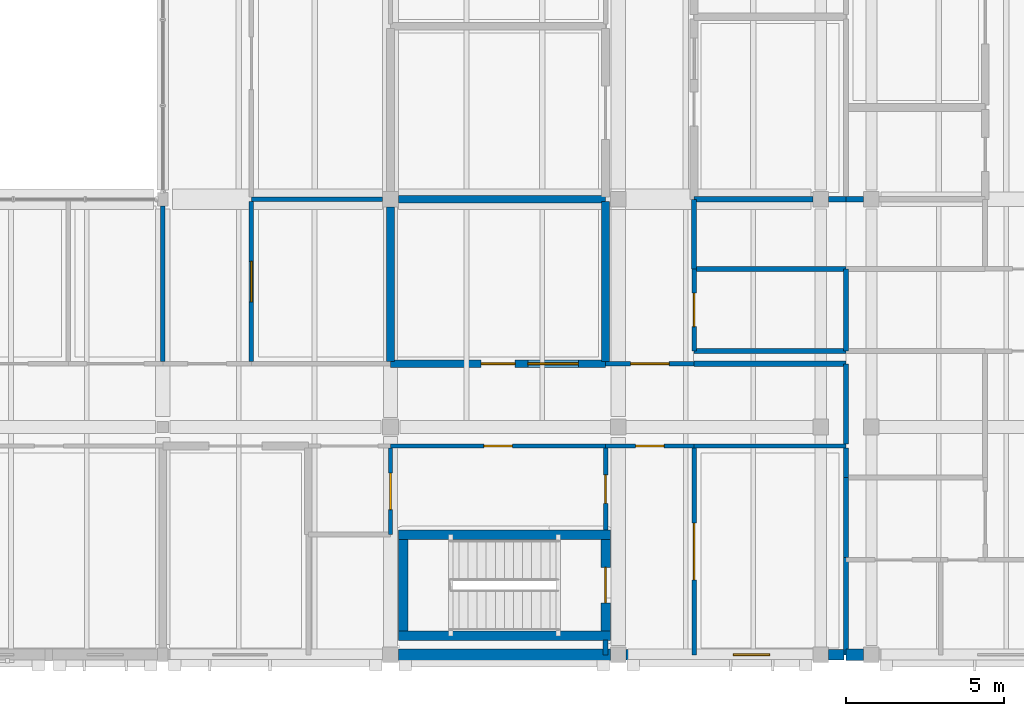
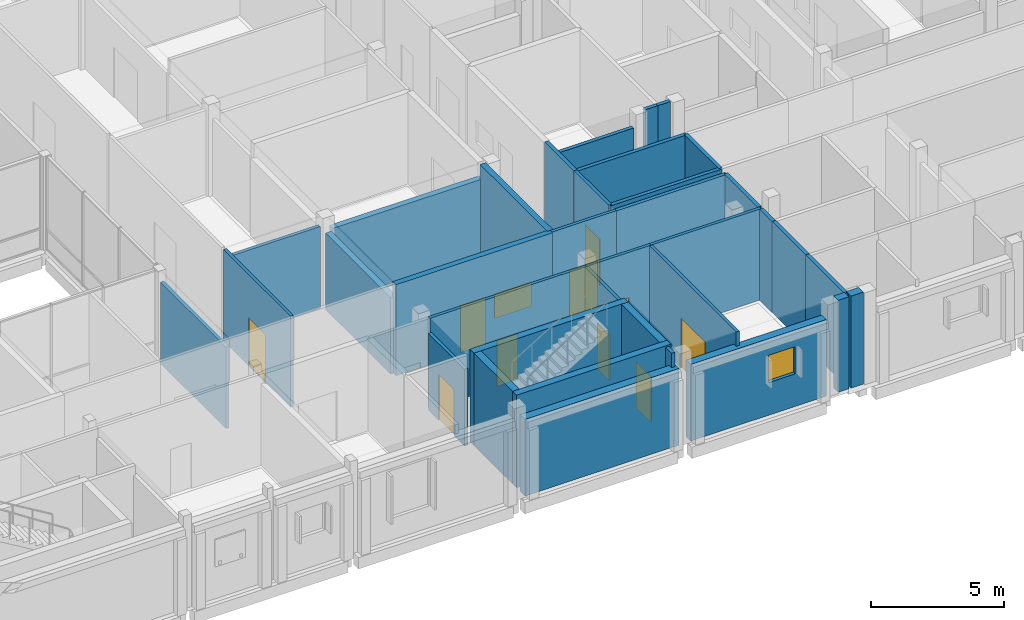
# One storey, part 114 of 146: 36 walls, 10 doors, 2 windows, 12 openings.
"""IFC4 building model written with IfcOpenShell, lengths in metres."""

from ifc_helpers import new_model, si_unit, direction, frame, frame_2d, origin, place, context, subcontext, project, spatial, rectangle, extrude, material, layer, layer_set, type_object, element, fill, save


model = new_model("IFC4")

# Units and contexts
model_context = context("Model", 3, precision=1e-05, world=origin(), true_north=direction((0.0, 1.0)))
body_context = subcontext(model_context, "Body", "Model", "MODEL_VIEW")
ifc_project = project(units=[si_unit("LENGTHUNIT", "METRE"), si_unit("AREAUNIT", "SQUARE_METRE"), si_unit("VOLUMEUNIT", "CUBIC_METRE"), si_unit("PLANEANGLEUNIT", "RADIAN"), si_unit("MASSUNIT", "GRAM", prefix="KILO")], contexts=[model_context])

# Site, building, storey
site_placement = place(None, origin())
site = spatial("IfcSite", under=ifc_project, at=site_placement, CompositionType="ELEMENT")
building_placement = place(site_placement, origin())
building = spatial("IfcBuilding", under=site, at=building_placement, Name="Hawrajan Terrace Health Centre", CompositionType="ELEMENT")
storey_placement = place(building_placement, frame((0.0, 0.0, 4.5)))
storey = spatial("IfcBuildingStorey", under=building, at=storey_placement, Name="L01", CompositionType="ELEMENT", Elevation=4.5)

# Wall
ifc_material_1 = material(Name="Gypsum board on acoustic stud framing")
ifc_layer_1 = layer(ifc_material_1, 0.139892578125)
ifc_layer_set_1 = layer_set([ifc_layer_1], Name="Gypsum board on acoustic stud framing")
wall_type_1 = type_object("IfcWallType", Name="ClinicalAcousticWall_140", PredefinedType="PARTITIONING", material=ifc_layer_set_1)
wall_1_placement = place(storey_placement, frame((107.800048828125, 13.469970703125, 0.0), z_axis=(0.0, 0.0, 1.0), x_axis=(0.0, 1.0, 0.0)))
element("IfcWall", 1, at=wall_1_placement, inside=storey, type_object=wall_type_1, Name="Interior wall IW-L01-0683", PredefinedType="PARTITIONING", context=body_context, shape_type="SweptSolid", body=[
    extrude(rectangle(XDim=4.919921875, YDim=0.139892578125, at=frame_2d((2.4599609375, 0.0))), origin(), (0.0, 0.0, 1.0), 3.739990234375),
])

# Wall, opening, door
wall_2_placement = place(storey_placement, frame((110.60009765625, 13.469970703125, 0.0), z_axis=(0.0, 0.0, 1.0), x_axis=(0.0, 1.0, 0.0)))
wall_2 = element("IfcWall", 2, at=wall_2_placement, inside=storey, type_object=wall_type_1, Name="Interior wall IW-L01-0685", PredefinedType="PARTITIONING", context=body_context, shape_type="SweptSolid", body=[
    extrude(rectangle(XDim=5.06005859375, YDim=0.139892578125, at=frame_2d((2.530029296875, 0.0))), origin(), (0.0, 0.0, 1.0), 4.179931640625),
])
opening_1_placement = place(wall_2_placement, frame((1.889892578125, 0.0, 0.0)))
opening_1 = element("IfcOpeningElement", 3, at=opening_1_placement, cuts=wall_2, Name="Opening D-L01-361", PredefinedType="OPENING", context=body_context, shape_type="SweptSolid", body=[
    extrude(rectangle(XDim=1.280029296875, YDim=2.199951171875, at=frame_2d((0.64013671875, 1.10009765625))), frame((0.0, 0.079833984375, 0.0), z_axis=(0.0, -1.0, 0.0), x_axis=(1.0, 0.0, 0.0)), (0.0, 0.0, 1.0), 0.159912109375),
])
ifc_material_2 = material(Name="Hardwood acoustic clinical door leaf and frame", Category="wood")
door_type_1 = type_object("IfcDoorType", Name="ExamSuiteDoor_1280x2200", OperationType="NOTDEFINED", PredefinedType="DOOR", material=ifc_material_2)
door_1_placement = place(opening_1_placement, origin())
door_1 = element("IfcDoor", 4, at=door_1_placement, inside=storey, type_object=door_type_1, Name="Interior door D-L01-361", OperationType="SINGLE_SWING_LEFT", OverallHeight=2.199951171875, OverallWidth=1.280029296875, PredefinedType="DOOR", context=body_context, shape_type="SweptSolid", body=[
    extrude(rectangle(XDim=1.280029296875, YDim=2.199951171875, at=frame_2d((0.64013671875, 1.10009765625))), frame((0.0, 0.02490234375, 0.0), z_axis=(0.0, -1.0, 0.0), x_axis=(1.0, 0.0, 0.0)), (0.0, 0.0, 1.0), 0.050048828125),
])
fill(opening_1, door_1)

# Wall
wall_3_placement = place(storey_placement, frame((110.60009765625, 18.60009765625, 0.0), z_axis=(0.0, 0.0, 1.0), x_axis=(1.0, 0.0, 0.0)))
element("IfcWall", 5, at=wall_3_placement, inside=storey, type_object=wall_type_1, Name="Interior wall IW-L01-0688", PredefinedType="PARTITIONING", context=body_context, shape_type="SweptSolid", body=[
    extrude(rectangle(XDim=4.14990234375, YDim=0.139892578125, at=frame_2d((2.074951171875, 0.0))), origin(), (0.0, 0.0, 1.0), 3.760009765625),
])

# Wall, opening, door
wall_4_placement = place(storey_placement, frame((115.0, 8.0, 0.0), z_axis=(0.0, 0.0, 1.0), x_axis=(0.0, 1.0, 0.0)))
wall_4 = element("IfcWall", 6, at=wall_4_placement, inside=storey, type_object=wall_type_1, Name="Interior wall IW-L01-0695", PredefinedType="PARTITIONING", context=body_context, shape_type="SweptSolid", body=[
    extrude(rectangle(XDim=2.72998046875, YDim=0.139892578125, at=frame_2d((1.364990234375, 0.0))), origin(), (0.0, 0.0, 1.0), 3.52001953125),
])
opening_2_placement = place(wall_4_placement, frame((0.784912109375, 0.0, 0.0)))
opening_2 = element("IfcOpeningElement", 7, at=opening_2_placement, cuts=wall_4, Name="Opening D-L01-274", PredefinedType="OPENING", context=body_context, shape_type="SweptSolid", body=[
    extrude(rectangle(XDim=1.159912109375, YDim=2.10009765625, at=frame_2d((0.580078125, 1.050048828125))), frame((0.0, 0.079833984375, 0.0), z_axis=(0.0, -1.0, 0.0), x_axis=(1.0, 0.0, 0.0)), (0.0, 0.0, 1.0), 0.159912109375),
])
door_type_2 = type_object("IfcDoorType", Name="ConsultDoor_1160x2100", OperationType="NOTDEFINED", PredefinedType="DOOR", material=ifc_material_2)
door_2_placement = place(opening_2_placement, origin())
door_2 = element("IfcDoor", 8, at=door_2_placement, inside=storey, type_object=door_type_2, Name="Interior door D-L01-274", OperationType="SINGLE_SWING_RIGHT", OverallHeight=2.10009765625, OverallWidth=1.159912109375, PredefinedType="DOOR", context=body_context, shape_type="SweptSolid", body=[
    extrude(rectangle(XDim=1.159912109375, YDim=2.10009765625, at=frame_2d((0.580078125, 1.050048828125))), frame((0.0, 0.02490234375, 0.0), z_axis=(0.0, -1.0, 0.0), x_axis=(1.0, 0.0, 0.0)), (0.0, 0.0, 1.0), 0.050048828125),
])
fill(opening_2, door_2)

wall_5_placement = place(storey_placement, frame((115.0, 10.800048828125, 0.0), z_axis=(0.0, 0.0, 1.0), x_axis=(1.0, 0.0, 0.0)))
wall_5 = element("IfcWall", 9, at=wall_5_placement, inside=storey, type_object=wall_type_1, Name="Interior wall IW-L01-0696", PredefinedType="PARTITIONING", context=body_context, shape_type="SweptSolid", body=[
    extrude(rectangle(XDim=6.800048828125, YDim=0.139892578125, at=frame_2d((3.39990234375, 0.0))), origin(), (0.0, 0.0, 1.0), 4.179931640625),
])
opening_3_placement = place(wall_5_placement, frame((2.949951171875, 0.0, 0.0)))
opening_3 = element("IfcOpeningElement", 10, at=opening_3_placement, cuts=wall_5, Name="Opening D-L01-268", PredefinedType="OPENING", context=body_context, shape_type="SweptSolid", body=[
    extrude(rectangle(XDim=0.89990234375, YDim=2.10009765625, at=frame_2d((0.449951171875, 1.050048828125))), frame((0.0, 0.079833984375, 0.0), z_axis=(0.0, -1.0, 0.0), x_axis=(1.0, 0.0, 0.0)), (0.0, 0.0, 1.0), 0.159912109375),
])
door_type_3 = type_object("IfcDoorType", Name="PatientWCDoor_900x2100", OperationType="NOTDEFINED", PredefinedType="DOOR", material=ifc_material_2)
door_3_placement = place(opening_3_placement, origin())
door_3 = element("IfcDoor", 11, at=door_3_placement, inside=storey, type_object=door_type_3, Name="Interior door D-L01-268", OperationType="SINGLE_SWING_RIGHT", OverallHeight=2.10009765625, OverallWidth=0.89990234375, PredefinedType="DOOR", context=body_context, shape_type="SweptSolid", body=[
    extrude(rectangle(XDim=0.89990234375, YDim=2.10009765625, at=frame_2d((0.449951171875, 1.050048828125))), frame((0.0, 0.02490234375, 0.0), z_axis=(0.0, -1.0, 0.0), x_axis=(1.0, 0.0, 0.0)), (0.0, 0.0, 1.0), 0.050048828125),
])
fill(opening_3, door_3)

wall_6_placement = place(storey_placement, frame((121.800048828125, 8.139892578125, 0.0), z_axis=(0.0, 0.0, 1.0), x_axis=(0.0, 1.0, 0.0)))
wall_6 = element("IfcWall", 12, at=wall_6_placement, inside=storey, type_object=wall_type_1, Name="Interior wall IW-L01-0713", PredefinedType="PARTITIONING", context=body_context, shape_type="SweptSolid", body=[
    extrude(rectangle(XDim=2.590087890625, YDim=0.139892578125, at=frame_2d((1.294921875, 0.0))), origin(), (0.0, 0.0, 1.0), 4.179931640625),
])
opening_4_placement = place(wall_6_placement, frame((0.844970703125, 0.0, 0.0)))
opening_4 = element("IfcOpeningElement", 13, at=opening_4_placement, cuts=wall_6, Name="Opening D-L01-270", PredefinedType="OPENING", context=body_context, shape_type="SweptSolid", body=[
    extrude(rectangle(XDim=0.89990234375, YDim=2.10009765625, at=frame_2d((0.449951171875, 1.050048828125))), frame((0.0, 0.079833984375, 0.0), z_axis=(0.0, -1.0, 0.0), x_axis=(1.0, 0.0, 0.0)), (0.0, 0.0, 1.0), 0.159912109375),
])
door_4_placement = place(opening_4_placement, origin())
door_4 = element("IfcDoor", 14, at=door_4_placement, inside=storey, type_object=door_type_3, Name="Interior door D-L01-270", OperationType="SINGLE_SWING_RIGHT", OverallHeight=2.10009765625, OverallWidth=0.89990234375, PredefinedType="DOOR", context=body_context, shape_type="SweptSolid", body=[
    extrude(rectangle(XDim=0.89990234375, YDim=2.10009765625, at=frame_2d((0.449951171875, 1.050048828125))), frame((0.0, 0.02490234375, 0.0), z_axis=(0.0, -1.0, 0.0), x_axis=(1.0, 0.0, 0.0)), (0.0, 0.0, 1.0), 0.050048828125),
])
fill(opening_4, door_4)

wall_7_placement = place(storey_placement, frame((121.800048828125, 10.800048828125, 0.0), z_axis=(0.0, 0.0, 1.0), x_axis=(1.0, 0.0, 0.0)))
wall_7 = element("IfcWall", 15, at=wall_7_placement, inside=storey, type_object=wall_type_1, Name="Interior wall IW-L01-0714", PredefinedType="PARTITIONING", context=body_context, shape_type="SweptSolid", body=[
    extrude(rectangle(XDim=2.800048828125, YDim=0.139892578125, at=frame_2d((1.39990234375, 0.0))), origin(), (0.0, 0.0, 1.0), 4.179931640625),
])
opening_5_placement = place(wall_7_placement, frame((0.949951171875, 0.0, 0.0)))
opening_5 = element("IfcOpeningElement", 16, at=opening_5_placement, cuts=wall_7, Name="Opening D-L01-265", PredefinedType="OPENING", context=body_context, shape_type="SweptSolid", body=[
    extrude(rectangle(XDim=0.89990234375, YDim=2.10009765625, at=frame_2d((0.449951171875, 1.050048828125))), frame((0.0, 0.079833984375, 0.0), z_axis=(0.0, -1.0, 0.0), x_axis=(1.0, 0.0, 0.0)), (0.0, 0.0, 1.0), 0.159912109375),
])
door_5_placement = place(opening_5_placement, origin())
door_5 = element("IfcDoor", 17, at=door_5_placement, inside=storey, type_object=door_type_3, Name="Interior door D-L01-265", OperationType="SINGLE_SWING_LEFT", OverallHeight=2.10009765625, OverallWidth=0.89990234375, PredefinedType="DOOR", context=body_context, shape_type="SweptSolid", body=[
    extrude(rectangle(XDim=0.89990234375, YDim=2.10009765625, at=frame_2d((0.449951171875, 1.050048828125))), frame((0.0, 0.02490234375, 0.0), z_axis=(0.0, -1.0, 0.0), x_axis=(1.0, 0.0, 0.0)), (0.0, 0.0, 1.0), 0.050048828125),
])
fill(opening_5, door_5)

wall_8_placement = place(storey_placement, frame((121.800048828125, 13.39990234375, 0.0), z_axis=(0.0, 0.0, 1.0), x_axis=(1.0, 0.0, 0.0)))
wall_8 = element("IfcWall", 18, at=wall_8_placement, inside=storey, type_object=wall_type_1, Name="Interior wall IW-L01-0716", PredefinedType="PARTITIONING", context=body_context, shape_type="SweptSolid", body=[
    extrude(rectangle(XDim=2.800048828125, YDim=0.139892578125, at=frame_2d((1.39990234375, 0.0))), origin(), (0.0, 0.0, 1.0), 4.179931640625),
])
opening_6_placement = place(wall_8_placement, frame((0.7900390625, 0.0, 0.0)))
opening_6 = element("IfcOpeningElement", 19, at=opening_6_placement, cuts=wall_8, Name="Opening D-L01-266", PredefinedType="OPENING", context=body_context, shape_type="SweptSolid", body=[
    extrude(rectangle(XDim=1.219970703125, YDim=2.10009765625, at=frame_2d((0.60986328125, 1.050048828125))), frame((0.0, 0.079833984375, 0.0), z_axis=(0.0, -1.0, 0.0), x_axis=(1.0, 0.0, 0.0)), (0.0, 0.0, 1.0), 0.159912109375),
])
door_type_4 = type_object("IfcDoorType", Name="ConsultDoor_1220x2100", OperationType="NOTDEFINED", PredefinedType="DOOR", material=ifc_material_2)
door_6_placement = place(opening_6_placement, origin())
door_6 = element("IfcDoor", 20, at=door_6_placement, inside=storey, type_object=door_type_4, Name="Interior door D-L01-266", OperationType="SINGLE_SWING_RIGHT", OverallHeight=2.10009765625, OverallWidth=1.219970703125, PredefinedType="DOOR", context=body_context, shape_type="SweptSolid", body=[
    extrude(rectangle(XDim=1.219970703125, YDim=2.10009765625, at=frame_2d((0.60986328125, 1.050048828125))), frame((0.0, 0.02490234375, 0.0), z_axis=(0.0, -1.0, 0.0), x_axis=(1.0, 0.0, 0.0)), (0.0, 0.0, 1.0), 0.050048828125),
])
fill(opening_6, door_6)

wall_9_placement = place(storey_placement, frame((124.60009765625, 4.199951171875, 0.0), z_axis=(0.0, 0.0, 1.0), x_axis=(0.0, 1.0, 0.0)))
wall_9 = element("IfcWall", 21, at=wall_9_placement, inside=storey, type_object=wall_type_1, Name="Interior wall IW-L01-0726", PredefinedType="PARTITIONING", context=body_context, shape_type="SweptSolid", body=[
    extrude(rectangle(XDim=6.530029296875, YDim=0.139892578125, at=frame_2d((3.26513671875, 0.0))), origin(), (0.0, 0.0, 1.0), 4.179931640625),
])
opening_7_placement = place(wall_9_placement, frame((2.364990234375, 0.0, 0.0)))
opening_7 = element("IfcOpeningElement", 22, at=opening_7_placement, cuts=wall_9, Name="Opening D-L01-384", PredefinedType="OPENING", context=body_context, shape_type="SweptSolid", body=[
    extrude(rectangle(XDim=1.800048828125, YDim=2.300048828125, at=frame_2d((0.89990234375, 1.14990234375))), frame((0.0, 0.079833984375, 0.0), z_axis=(0.0, -1.0, 0.0), x_axis=(1.0, 0.0, 0.0)), (0.0, 0.0, 1.0), 0.159912109375),
])
door_type_5 = type_object("IfcDoorType", Name="EducationHallDoor_1800x2300", OperationType="DOUBLE_DOOR_SINGLE_SWING", PredefinedType="DOOR", material=ifc_material_2)
door_7_placement = place(opening_7_placement, origin())
door_7 = element("IfcDoor", 23, at=door_7_placement, inside=storey, type_object=door_type_5, Name="Interior door D-L01-384", OperationType="DOUBLE_DOOR_SINGLE_SWING", OverallHeight=2.300048828125, OverallWidth=1.800048828125, PredefinedType="DOOR", context=body_context, shape_type="SweptSolid", body=[
    extrude(rectangle(XDim=1.800048828125, YDim=2.300048828125, at=frame_2d((0.89990234375, 1.14990234375))), frame((0.0, 0.02490234375, 0.0), z_axis=(0.0, -1.0, 0.0), x_axis=(1.0, 0.0, 0.0)), (0.0, 0.0, 1.0), 0.050048828125),
])
fill(opening_7, door_7)

# Wall
wall_10_placement = place(storey_placement, frame((124.60009765625, 10.800048828125, 0.0), z_axis=(0.0, 0.0, 1.0), x_axis=(1.0, 0.0, 0.0)))
element("IfcWall", 24, at=wall_10_placement, inside=storey, type_object=wall_type_1, Name="Interior wall IW-L01-0727", PredefinedType="PARTITIONING", context=body_context, shape_type="SweptSolid", body=[
    extrude(rectangle(XDim=4.794921875, YDim=0.139892578125, at=frame_2d((2.3974609375, 0.0))), origin(), (0.0, 0.0, 1.0), 4.179931640625),
])

# Wall, opening, door
wall_11_placement = place(storey_placement, frame((124.60009765625, 13.800048828125, 0.0), z_axis=(0.0, 0.0, 1.0), x_axis=(0.0, 1.0, 0.0)))
wall_11 = element("IfcWall", 25, at=wall_11_placement, inside=storey, type_object=wall_type_1, Name="Interior wall IW-L01-0728", PredefinedType="PARTITIONING", context=body_context, shape_type="SweptSolid", body=[
    extrude(rectangle(XDim=2.599853515625, YDim=0.139892578125, at=frame_2d((1.2998046875, 0.0))), origin(), (0.0, 0.0, 1.0), 4.179931640625),
])
opening_8_placement = place(wall_11_placement, frame((0.77001953125, 0.0, 0.0)))
opening_8 = element("IfcOpeningElement", 26, at=opening_8_placement, cuts=wall_11, Name="Opening D-L01-272", PredefinedType="OPENING", context=body_context, shape_type="SweptSolid", body=[
    extrude(rectangle(XDim=1.06005859375, YDim=2.14990234375, at=frame_2d((0.530029296875, 1.074951171875))), frame((0.0, 0.079833984375, 0.0), z_axis=(0.0, -1.0, 0.0), x_axis=(1.0, 0.0, 0.0)), (0.0, 0.0, 1.0), 0.159912109375),
])
door_type_6 = type_object("IfcDoorType", Name="MentalHealthDoor_1060x2150", OperationType="NOTDEFINED", PredefinedType="DOOR", material=ifc_material_2)
door_8_placement = place(opening_8_placement, origin())
door_8 = element("IfcDoor", 27, at=door_8_placement, inside=storey, type_object=door_type_6, Name="Interior door D-L01-272", OperationType="SINGLE_SWING_RIGHT", OverallHeight=2.14990234375, OverallWidth=1.06005859375, PredefinedType="DOOR", context=body_context, shape_type="SweptSolid", body=[
    extrude(rectangle(XDim=1.06005859375, YDim=2.14990234375, at=frame_2d((0.530029296875, 1.074951171875))), frame((0.0, 0.02490234375, 0.0), z_axis=(0.0, -1.0, 0.0), x_axis=(1.0, 0.0, 0.0)), (0.0, 0.0, 1.0), 0.050048828125),
])
fill(opening_8, door_8)

# Wall, opening, window
ifc_material_3 = material(Name="Precast concrete C40/50", Category="concrete")
ifc_layer_2 = layer(ifc_material_3, 0.340087890625)
ifc_layer_set_2 = layer_set([ifc_layer_2], Name="Precast concrete C40/50")
wall_type_2 = type_object("IfcWallType", Name="CoralAshlarWall_340", PredefinedType="SOLIDWALL", material=ifc_layer_set_2)
wall_12_placement = place(storey_placement, frame((122.449951171875, 4.199951171875, 0.0), z_axis=(0.0, 0.0, 1.0), x_axis=(1.0, 0.0, 0.0)))
wall_12 = element("IfcWall", 28, at=wall_12_placement, inside=storey, type_object=wall_type_2, Name="Exterior wall EW-L01-H15-00-1", PredefinedType="SOLIDWALL", context=body_context, shape_type="SweptSolid", body=[
    extrude(rectangle(XDim=5.900146484375, YDim=0.340087890625, at=frame_2d((2.9501953125, 0.0))), origin(), (0.0, 0.0, 1.0), 3.52001953125),
])
opening_9_placement = place(wall_12_placement, frame((3.389892578125, 0.0, 1.5)))
opening_9 = element("IfcOpeningElement", 29, at=opening_9_placement, cuts=wall_12, Name="Opening W-L01-089", PredefinedType="OPENING", context=body_context, shape_type="SweptSolid", body=[
    extrude(rectangle(XDim=1.14990234375, YDim=1.25, at=frame_2d((0.574951171875, 0.625))), frame((0.0, 0.179931640625, 0.0), z_axis=(0.0, -1.0, 0.0), x_axis=(1.0, 0.0, 0.0)), (0.0, 0.0, 1.0), 0.360107421875),
])
ifc_material_4 = material(Name="Anodized bronze frame with double low-E glazing", Category="glass")
window_type_1 = type_object("IfcWindowType", Name="FacadeWindow_1150x1250", PartitioningType="SINGLE_PANEL", PredefinedType="WINDOW", material=ifc_material_4)
window_1_placement = place(opening_9_placement, origin())
window_1 = element("IfcWindow", 30, at=window_1_placement, inside=storey, type_object=window_type_1, Name="Window W-L01-089", OverallHeight=1.25, OverallWidth=1.14990234375, PartitioningType="SINGLE_PANEL", PredefinedType="WINDOW", context=body_context, shape_type="SweptSolid", body=[
    extrude(rectangle(XDim=1.14990234375, YDim=1.25, at=frame_2d((0.574951171875, 0.625))), frame((0.0, 0.030029296875, 0.0), z_axis=(0.0, -1.0, 0.0), x_axis=(1.0, 0.0, 0.0)), (0.0, 0.0, 1.0), 0.06005859375),
])
fill(opening_9, window_1)

# Walls
wall_13_placement = place(storey_placement, frame((128.85009765625, 4.199951171875, 0.0), z_axis=(0.0, 0.0, 1.0), x_axis=(1.0, 0.0, 0.0)))
element("IfcWall", 31, at=wall_13_placement, inside=storey, type_object=wall_type_2, Name="Exterior wall EW-L01-H15-00-2", PredefinedType="SOLIDWALL", context=body_context, shape_type="SweptSolid", body=[
    extrude(rectangle(XDim=0.48486328125, YDim=0.340087890625, at=frame_2d((0.242431640625, 0.0))), origin(), (0.0, 0.0, 1.0), 4.219970703125),
])
ifc_layer_3 = layer(ifc_material_3, 0.360107421875)
ifc_layer_set_3 = layer_set([ifc_layer_3], Name="Precast concrete C40/50")
wall_type_3 = type_object("IfcWallType", Name="CoralPodiumWall_360", PredefinedType="SOLIDWALL", material=ifc_layer_set_3)
wall_14_placement = place(storey_placement, frame((115.25, 4.199951171875, 0.0), z_axis=(0.0, 0.0, 1.0), x_axis=(1.0, 0.0, 0.0)))
element("IfcWall", 32, at=wall_14_placement, inside=storey, type_object=wall_type_3, Name="Exterior wall EW-L01-H14-00-1", PredefinedType="SOLIDWALL", context=body_context, shape_type="SweptSolid", body=[
    extrude(rectangle(XDim=6.699951171875, YDim=0.360107421875, at=frame_2d((3.35009765625, 0.0))), origin(), (0.0, 0.0, 1.0), 3.52001953125),
])
wall_15_placement = place(storey_placement, frame((129.405029296875, 4.199951171875, 0.0), z_axis=(0.0, 0.0, 1.0), x_axis=(1.0, 0.0, 0.0)))
element("IfcWall", 33, at=wall_15_placement, inside=storey, type_object=wall_type_3, Name="Exterior wall EW-L01-H16-00-1", PredefinedType="SOLIDWALL", context=body_context, shape_type="SweptSolid", body=[
    extrude(rectangle(XDim=0.544921875, YDim=0.360107421875, at=frame_2d((0.2724609375, 0.0))), origin(), (0.0, 0.0, 1.0), 4.219970703125),
])
ifc_material_5 = material(Name="Concrete C40/50", Category="concrete")
ifc_layer_4 = layer(ifc_material_5, 0.300048828125)
ifc_layer_set_4 = layer_set([ifc_layer_4], Name="Concrete C40/50")
wall_type_4 = type_object("IfcWallType", Name="CoreShearWall_RC300", PredefinedType="SHEAR", material=ifc_layer_set_4)
for number, where, z_axis, x_axis, name in (
    (34, (115.25, 4.800048828125, 0.0), (0.0, 0.0, 1.0), (1.0, 0.0, 0.0), "Core shear wall SW-S6-L01-S"),
    (35, (115.25, 8.0, 0.0), (0.0, 0.0, 1.0), (1.0, 0.0, 0.0), "Core shear wall SW-S6-L01-N"),
):
    element("IfcWall", number, at=place(storey_placement, frame(where, z_axis=z_axis, x_axis=x_axis)), inside=storey, type_object=wall_type_4, Name=name, PredefinedType="SHEAR", context=body_context, shape_type="SweptSolid", body=[
        extrude(rectangle(XDim=6.699951171875, YDim=0.300048828125, at=frame_2d((3.35009765625, 0.0))), origin(), (0.0, 0.0, 1.0), 4.25),
    ])
wall_16_placement = place(storey_placement, frame((115.39990234375, 4.949951171875, 0.0), z_axis=(0.0, 0.0, 1.0), x_axis=(0.0, 1.0, 0.0)))
element("IfcWall", 36, at=wall_16_placement, inside=storey, type_object=wall_type_4, Name="Core shear wall SW-S6-L01-W", PredefinedType="SHEAR", context=body_context, shape_type="SweptSolid", body=[
    extrude(rectangle(XDim=2.900146484375, YDim=0.300048828125, at=frame_2d((1.4501953125, 0.0))), origin(), (0.0, 0.0, 1.0), 4.25),
])

# Wall, opening, door
wall_17_placement = place(storey_placement, frame((121.800048828125, 4.949951171875, 0.0), z_axis=(0.0, 0.0, 1.0), x_axis=(0.0, 1.0, 0.0)))
wall_17 = element("IfcWall", 37, at=wall_17_placement, inside=storey, type_object=wall_type_4, Name="Core shear wall SW-S6-L01-E", PredefinedType="SHEAR", context=body_context, shape_type="SweptSolid", body=[
    extrude(rectangle(XDim=2.900146484375, YDim=0.300048828125, at=frame_2d((1.4501953125, 0.0))), origin(), (0.0, 0.0, 1.0), 4.25),
])
opening_10_placement = place(wall_17_placement, frame((0.889892578125, 0.0, 0.0)))
opening_10 = element("IfcOpeningElement", 38, at=opening_10_placement, cuts=wall_17, Name="Opening D-L01-244", PredefinedType="OPENING", context=body_context, shape_type="SweptSolid", body=[
    extrude(rectangle(XDim=1.1201171875, YDim=2.10009765625, at=frame_2d((0.56005859375, 1.050048828125))), frame((0.0, 0.159912109375, 0.0), z_axis=(0.0, -1.0, 0.0), x_axis=(1.0, 0.0, 0.0)), (0.0, 0.0, 1.0), 0.320068359375),
])
ifc_material_6 = material(Name="Timber-veneered acoustic fire-resisting door assembly", Category="wood")
door_type_7 = type_object("IfcDoorType", Name="CoreStairDoor_1120x2100", OperationType="NOTDEFINED", PredefinedType="DOOR", material=ifc_material_6)
door_9_placement = place(opening_10_placement, origin())
door_9 = element("IfcDoor", 39, at=door_9_placement, inside=storey, type_object=door_type_7, Name="Interior door D-L01-244", OperationType="SINGLE_SWING_RIGHT", OverallHeight=2.10009765625, OverallWidth=1.1201171875, PredefinedType="DOOR", context=body_context, shape_type="SweptSolid", body=[
    extrude(rectangle(XDim=1.1201171875, YDim=2.10009765625, at=frame_2d((0.56005859375, 1.050048828125))), frame((0.0, 0.02490234375, 0.0), z_axis=(0.0, -1.0, 0.0), x_axis=(1.0, 0.0, 0.0)), (0.0, 0.0, 1.0), 0.050048828125),
])
fill(opening_10, door_9)

# Walls
ifc_layer_5 = layer(ifc_material_1, 0.159912109375)
ifc_layer_set_5 = layer_set([ifc_layer_5], Name="Gypsum board on acoustic stud framing")
wall_type_5 = type_object("IfcWallType", Name="CorridorFireWall_160", PredefinedType="PARTITIONING", material=ifc_layer_set_5)
wall_18_placement = place(storey_placement, frame((129.39501953125, 10.8701171875, 0.0), z_axis=(0.0, 0.0, 1.0), x_axis=(0.0, 1.0, 0.0)))
element("IfcWall", 40, at=wall_18_placement, inside=storey, type_object=wall_type_5, Name="Interior wall IW-L01-0862", PredefinedType="PARTITIONING", context=body_context, shape_type="SweptSolid", body=[
    extrude(rectangle(XDim=2.52978515625, YDim=0.159912109375, at=frame_2d((1.264892578125, 0.0))), origin(), (0.0, 0.0, 1.0), 4.179931640625),
])
wall_19_placement = place(storey_placement, frame((129.39501953125, 13.39990234375, 0.0), z_axis=(0.0, 0.0, 1.0), x_axis=(-1.0, 0.0, 0.0)))
element("IfcWall", 41, at=wall_19_placement, inside=storey, type_object=wall_type_5, Name="Interior wall IW-L01-0863", PredefinedType="PARTITIONING", context=body_context, shape_type="SweptSolid", body=[
    extrude(rectangle(XDim=4.794921875, YDim=0.159912109375, at=frame_2d((2.3974609375, 0.0))), origin(), (0.0, 0.0, 1.0), 4.179931640625),
])
wall_20_placement = place(storey_placement, frame((121.800048828125, 4.199951171875, 0.0), z_axis=(0.0, 0.0, 1.0), x_axis=(0.0, 1.0, 0.0)))
element("IfcWall", 42, at=wall_20_placement, inside=storey, type_object=wall_type_5, Name="Interior wall IW-L01-0865", PredefinedType="PARTITIONING", context=body_context, shape_type="SweptSolid", body=[
    extrude(rectangle(XDim=0.4599609375, YDim=0.159912109375, at=frame_2d((0.22998046875, 0.0))), origin(), (0.0, 0.0, 1.0), 4.179931640625),
])
wall_21_placement = place(storey_placement, frame((124.60009765625, 16.39990234375, 0.0), z_axis=(0.0, 0.0, 1.0), x_axis=(0.0, 1.0, 0.0)))
element("IfcWall", 43, at=wall_21_placement, inside=storey, type_object=wall_type_5, Name="Interior wall IW-L01-0866", PredefinedType="PARTITIONING", context=body_context, shape_type="SweptSolid", body=[
    extrude(rectangle(XDim=2.2001953125, YDim=0.159912109375, at=frame_2d((1.10009765625, 0.0))), origin(), (0.0, 0.0, 1.0), 4.179931640625),
])
wall_22_placement = place(storey_placement, frame((124.60009765625, 13.800048828125, 0.0), z_axis=(0.0, 0.0, 1.0), x_axis=(1.0, 0.0, 0.0)))
element("IfcWall", 44, at=wall_22_placement, inside=storey, type_object=wall_type_5, Name="Interior wall IW-L01-0873", PredefinedType="PARTITIONING", context=body_context, shape_type="SweptSolid", body=[
    extrude(rectangle(XDim=4.794921875, YDim=0.159912109375, at=frame_2d((2.3974609375, 0.0))), origin(), (0.0, 0.0, 1.0), 4.179931640625),
])
wall_23_placement = place(storey_placement, frame((129.39501953125, 13.800048828125, 0.0), z_axis=(0.0, 0.0, 1.0), x_axis=(0.0, 1.0, 0.0)))
element("IfcWall", 45, at=wall_23_placement, inside=storey, type_object=wall_type_5, Name="Interior wall IW-L01-0874", PredefinedType="PARTITIONING", context=body_context, shape_type="SweptSolid", body=[
    extrude(rectangle(XDim=2.599853515625, YDim=0.159912109375, at=frame_2d((1.2998046875, 0.0))), origin(), (0.0, 0.0, 1.0), 4.179931640625),
])
wall_24_placement = place(storey_placement, frame((129.39501953125, 16.39990234375, 0.0), z_axis=(0.0, 0.0, 1.0), x_axis=(-1.0, 0.0, 0.0)))
element("IfcWall", 46, at=wall_24_placement, inside=storey, type_object=wall_type_5, Name="Interior wall IW-L01-0875", PredefinedType="PARTITIONING", context=body_context, shape_type="SweptSolid", body=[
    extrude(rectangle(XDim=4.794921875, YDim=0.159912109375, at=frame_2d((2.3974609375, 0.0))), origin(), (0.0, 0.0, 1.0), 4.179931640625),
])
wall_25_placement = place(storey_placement, frame((129.405029296875, 7.27001953125, 0.0), z_axis=(0.0, 0.0, 1.0), x_axis=(0.0, 1.0, 0.0)))
element("IfcWall", 47, at=wall_25_placement, inside=storey, type_object=wall_type_5, Name="Interior wall IW-L01-0915", PredefinedType="PARTITIONING", context=body_context, shape_type="SweptSolid", body=[
    extrude(rectangle(XDim=2.530029296875, YDim=0.159912109375, at=frame_2d((1.26513671875, 0.0))), origin(), (0.0, 0.0, 1.0), 4.179931640625),
])
wall_26_placement = place(storey_placement, frame((129.39501953125, 4.199951171875, 0.0), z_axis=(0.0, 0.0, 1.0), x_axis=(0.0, 1.0, 0.0)))
element("IfcWall", 48, at=wall_26_placement, inside=storey, type_object=wall_type_5, Name="Interior wall IW-L01-0947", PredefinedType="PARTITIONING", context=body_context, shape_type="SweptSolid", body=[
    extrude(rectangle(XDim=3.070068359375, YDim=0.159912109375, at=frame_2d((1.53515625, 0.0))), origin(), (0.0, 0.0, 1.0), 4.179931640625),
])
wall_27_placement = place(storey_placement, frame((129.39501953125, 9.800048828125, 0.0), z_axis=(0.0, 0.0, 1.0), x_axis=(0.0, 1.0, 0.0)))
element("IfcWall", 49, at=wall_27_placement, inside=storey, type_object=wall_type_5, Name="Interior wall IW-L01-0948", PredefinedType="PARTITIONING", context=body_context, shape_type="SweptSolid", body=[
    extrude(rectangle(XDim=0.929931640625, YDim=0.159912109375, at=frame_2d((0.46484375, 0.0))), origin(), (0.0, 0.0, 1.0), 4.179931640625),
])
wall_28_placement = place(storey_placement, frame((124.60009765625, 18.60009765625, 0.0), z_axis=(0.0, 0.0, 1.0), x_axis=(1.0, 0.0, 0.0)))
element("IfcWall", 50, at=wall_28_placement, inside=storey, type_object=wall_type_5, Name="Interior wall IW-L01-0949", PredefinedType="PARTITIONING", context=body_context, shape_type="SweptSolid", body=[
    extrude(rectangle(XDim=3.75, YDim=0.159912109375, at=frame_2d((1.875, 0.0))), origin(), (0.0, 0.0, 1.0), 3.52001953125),
])
for number, where, z_axis, x_axis, name in (
    (51, (128.85009765625, 18.60009765625, 0.0), (0.0, 0.0, 1.0), (1.0, 0.0, 0.0), "Interior wall IW-L01-0950"),
    (52, (129.405029296875, 18.60009765625, 0.0), (0.0, 0.0, 1.0), (1.0, 0.0, 0.0), "Interior wall IW-L01-0963"),
):
    element("IfcWall", number, at=place(storey_placement, frame(where, z_axis=z_axis, x_axis=x_axis)), inside=storey, type_object=wall_type_5, Name=name, PredefinedType="PARTITIONING", context=body_context, shape_type="SweptSolid", body=[
        extrude(rectangle(XDim=0.544921875, YDim=0.159912109375, at=frame_2d((0.2724609375, 0.0))), origin(), (0.0, 0.0, 1.0), 4.179931640625),
    ])
ifc_layer_6 = layer(ifc_material_5, 0.25)
ifc_layer_set_6 = layer_set([ifc_layer_6], Name="Concrete C40/50")
wall_type_6 = type_object("IfcWallType", Name="RadiationShieldWall_RC250", PredefinedType="SOLIDWALL", material=ifc_layer_set_6)
wall_29_placement = place(storey_placement, frame((115.0, 13.469970703125, 0.0), z_axis=(0.0, 0.0, 1.0), x_axis=(0.0, 1.0, 0.0)))
element("IfcWall", 53, at=wall_29_placement, inside=storey, type_object=wall_type_6, Name="Interior wall IW-L01-0697", PredefinedType="SOLIDWALL", context=body_context, shape_type="SweptSolid", body=[
    extrude(rectangle(XDim=4.880126953125, YDim=0.25, at=frame_2d((2.43994140625, 0.0))), origin(), (0.0, 0.0, 1.0), 3.52001953125),
])

# Wall, openings, door, window
wall_30_placement = place(storey_placement, frame((115.0, 13.39990234375, 0.0), z_axis=(0.0, 0.0, 1.0), x_axis=(1.0, 0.0, 0.0)))
wall_30 = element("IfcWall", 54, at=wall_30_placement, inside=storey, type_object=wall_type_6, Name="Interior wall IW-L01-0698", PredefinedType="SOLIDWALL", context=body_context, shape_type="SweptSolid", body=[
    extrude(rectangle(XDim=6.800048828125, YDim=0.25, at=frame_2d((3.39990234375, 0.0))), origin(), (0.0, 0.0, 1.0), 4.179931640625),
])
opening_11_placement = place(wall_30_placement, frame((2.860107421875, 0.0, 0.0)))
opening_11 = element("IfcOpeningElement", 55, at=opening_11_placement, cuts=wall_30, Name="Opening D-L01-375", PredefinedType="OPENING", context=body_context, shape_type="SweptSolid", body=[
    extrude(rectangle(XDim=1.080078125, YDim=2.14990234375, at=frame_2d((0.5400390625, 1.074951171875))), frame((0.0, 0.135009765625, 0.0), z_axis=(0.0, -1.0, 0.0), x_axis=(1.0, 0.0, 0.0)), (0.0, 0.0, 1.0), 0.27001953125),
])
opening_12_placement = place(wall_30_placement, frame((4.340087890625, 0.0, 1.050048828125)))
opening_12 = element("IfcOpeningElement", 56, at=opening_12_placement, cuts=wall_30, Name="Opening W-L01-I03", PredefinedType="OPENING", context=body_context, shape_type="SweptSolid", body=[
    extrude(rectangle(XDim=1.60009765625, YDim=1.10009765625, at=frame_2d((0.800048828125, 0.550048828125))), frame((0.0, 0.135009765625, 0.0), z_axis=(0.0, -1.0, 0.0), x_axis=(1.0, 0.0, 0.0)), (0.0, 0.0, 1.0), 0.27001953125),
])
door_type_8 = type_object("IfcDoorType", Name="ClinicalFireDoor_1080x2150", OperationType="NOTDEFINED", PredefinedType="DOOR", material=ifc_material_6)
door_10_placement = place(opening_11_placement, origin())
door_10 = element("IfcDoor", 57, at=door_10_placement, inside=storey, type_object=door_type_8, Name="Interior door D-L01-375", OperationType="SINGLE_SWING_LEFT", OverallHeight=2.14990234375, OverallWidth=1.080078125, PredefinedType="DOOR", context=body_context, shape_type="SweptSolid", body=[
    extrude(rectangle(XDim=1.080078125, YDim=2.14990234375, at=frame_2d((0.5400390625, 1.074951171875))), frame((0.0, 0.02490234375, 0.0), z_axis=(0.0, -1.0, 0.0), x_axis=(1.0, 0.0, 0.0)), (0.0, 0.0, 1.0), 0.050048828125),
])
fill(opening_11, door_10)
ifc_material_7 = material(Name="Lead-lined and acoustic internal observation glazing", Category="glass")
window_type_2 = type_object("IfcWindowType", Name="InternalObsWindow_1600x1100", PartitioningType="SINGLE_PANEL", PredefinedType="WINDOW", material=ifc_material_7)
window_2_placement = place(opening_12_placement, origin())
window_2 = element("IfcWindow", 58, at=window_2_placement, inside=storey, type_object=window_type_2, Name="Observation window W-L01-I03", OverallHeight=1.10009765625, OverallWidth=1.60009765625, PartitioningType="SINGLE_PANEL", PredefinedType="WINDOW", context=body_context, shape_type="SweptSolid", body=[
    extrude(rectangle(XDim=1.60009765625, YDim=1.10009765625, at=frame_2d((0.800048828125, 0.550048828125))), frame((0.0, 0.030029296875, 0.0), z_axis=(0.0, -1.0, 0.0), x_axis=(1.0, 0.0, 0.0)), (0.0, 0.0, 1.0), 0.06005859375),
])
fill(opening_12, window_2)

# Walls
wall_31_placement = place(storey_placement, frame((115.25, 18.60009765625, 0.0), z_axis=(0.0, 0.0, 1.0), x_axis=(1.0, 0.0, 0.0)))
element("IfcWall", 59, at=wall_31_placement, inside=storey, type_object=wall_type_6, Name="Interior wall IW-L01-0700", PredefinedType="SOLIDWALL", context=body_context, shape_type="SweptSolid", body=[
    extrude(rectangle(XDim=6.550048828125, YDim=0.25, at=frame_2d((3.27490234375, 0.0))), origin(), (0.0, 0.0, 1.0), 3.52001953125),
])
wall_32_placement = place(storey_placement, frame((121.800048828125, 13.469970703125, 0.0), z_axis=(0.0, 0.0, 1.0), x_axis=(0.0, 1.0, 0.0)))
element("IfcWall", 60, at=wall_32_placement, inside=storey, type_object=wall_type_6, Name="Interior wall IW-L01-0715", PredefinedType="SOLIDWALL", context=body_context, shape_type="SweptSolid", body=[
    extrude(rectangle(XDim=5.06005859375, YDim=0.25, at=frame_2d((2.530029296875, 0.0))), origin(), (0.0, 0.0, 1.0), 4.179931640625),
])

save(model, "model.ifc")
